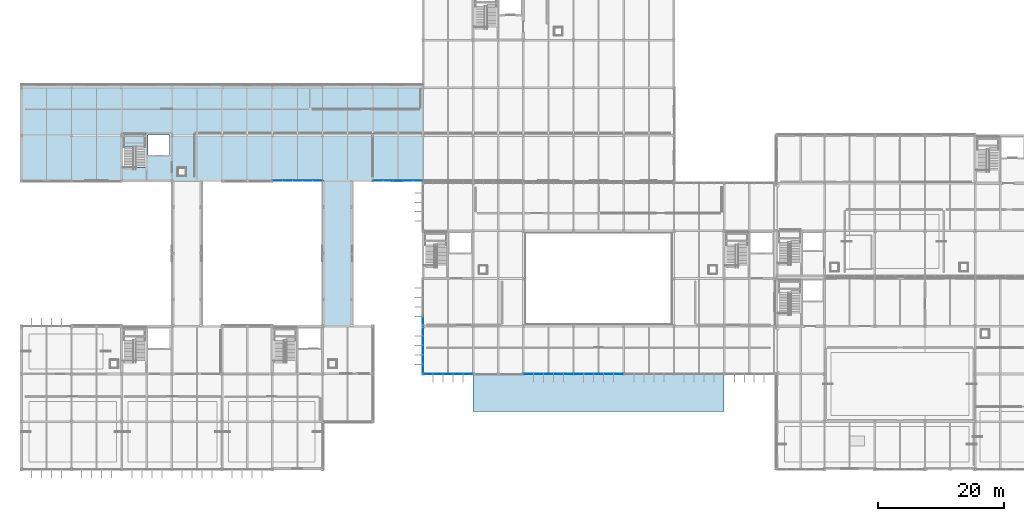
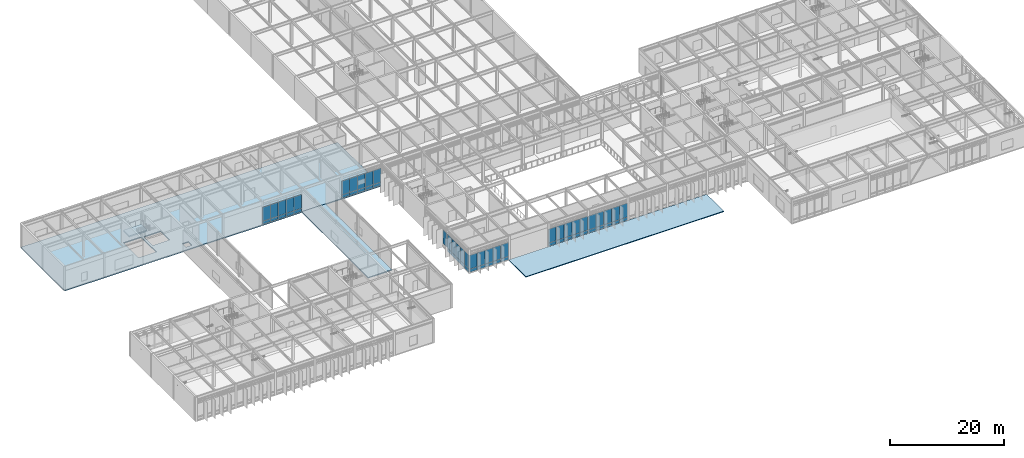
# One storey, part 62 of 94: 61 plates, 4 slabs, 8 elements without a shape of their own.
"""IFC4 building model written with IfcOpenShell, lengths in metres."""

from ifc_helpers import new_model, si_unit, direction, frame, origin, origin_2d, place, context, subcontext, project, spatial, polyline, rectangle, outline, extrude, material, layer, layer_set, type_object, element, aggregate, save


model = new_model("IFC4")

# Units and contexts
model_context = context("Model", 3, precision=1e-05, world=origin(), true_north=direction((0.0, 1.0)))
body_context = subcontext(model_context, "Body", "Model", "MODEL_VIEW")
ifc_project = project(units=[si_unit("LENGTHUNIT", "METRE"), si_unit("AREAUNIT", "SQUARE_METRE"), si_unit("VOLUMEUNIT", "CUBIC_METRE"), si_unit("PLANEANGLEUNIT", "RADIAN"), si_unit("MASSUNIT", "GRAM", prefix="KILO")], contexts=[model_context])

# Site, building, storey
site_placement = place(None, origin())
site = spatial("IfcSite", under=ifc_project, at=site_placement, CompositionType="ELEMENT")
building_placement = place(site_placement, origin())
building = spatial("IfcBuilding", under=site, at=building_placement, Name="Zulena Civic Courthouse", CompositionType="ELEMENT")
storey_placement = place(building_placement, frame((0.0, 0.0, 5.39990234375)))
storey = spatial("IfcBuildingStorey", under=building, at=storey_placement, Name="L01", CompositionType="ELEMENT", Elevation=5.39990234375)

# Slab
ifc_material_1 = material(Name="Concrete C35/45", Category="concrete")
ifc_layer_1 = layer(ifc_material_1, 0.195068359375)
ifc_layer_set_1 = layer_set([ifc_layer_1], Name="Concrete C35/45")
slab_type_1 = type_object("IfcSlabType", Name="BridgeSlab_195", PredefinedType="FLOOR", material=ifc_layer_set_1)
slab_1_placement = place(storey_placement, frame((0.0, 0.0, -0.19482421875)))
element("IfcSlab", 1, at=slab_1_placement, inside=storey, type_object=slab_type_1, Name="slab:bridge:BR-52C:L01", PredefinedType="FLOOR", context=body_context, shape_type="SweptSolid", body=[
    extrude(outline(polyline([(52.0, 22.800048828125), (56.800048828125, 22.800048828125), (56.800048828125, 46.0), (52.0, 46.0), (52.0, 22.800048828125)])), origin(), (0.0, 0.0, 1.0), 0.19482421875),
])

# Curtain wall, plates
ifc_material_2 = material(Name="Double-silver low-E laminated solar-control glass", Category="glass")
curtain_wall_type_1 = type_object("IfcCurtainWallType", Name="CW_7552x4280", PredefinedType="USERDEFINED", material=ifc_material_2)
curtain_wall_1_placement = place(storey_placement, origin())
curtain_wall_1 = element("IfcCurtainWall", 2, at=curtain_wall_1_placement, inside=storey, type_object=curtain_wall_type_1, Name="cw:V4:L01:0:0", ObjectType="UNITISED CURTAIN WALL", PredefinedType="USERDEFINED")
ifc_material_3 = material(Name="Ceramic-fritted insulated spandrel glass", Category="glass")
ifc_layer_2 = layer(ifc_material_3, 0.0458984375)
ifc_layer_set_2 = layer_set([ifc_layer_2], Name="Ceramic-fritted insulated spandrel glass")
plate_type_1 = type_object("IfcPlateType", Name="CWPanel_Spandrel_46", PredefinedType="CURTAIN_PANEL", material=ifc_layer_set_2)
plate_1_placement = place(storey_placement, frame((68.0, 15.979248046875, 0.070068359375), z_axis=(0.0, 0.0, 1.0), x_axis=(0.0, 1.0, 0.0)))
plate_1 = element("IfcPlate", 3, at=plate_1_placement, type_object=plate_type_1, Name="cw:V4:L01:0:0:panS:0", PredefinedType="CURTAIN_PANEL", context=body_context, shape_type="SweptSolid", body=[
    extrude(rectangle(XDim=1.4599609375, YDim=0.0458984375, at=origin_2d()), origin(), (0.0, 0.0, 1.0), 0.669921875),
])
plate_2_placement = place(storey_placement, frame((68.0, 17.489501953125, 0.070068359375), z_axis=(0.0, 0.0, 1.0), x_axis=(0.0, 1.0, 0.0)))
plate_2 = element("IfcPlate", 4, at=plate_2_placement, type_object=plate_type_1, Name="cw:V4:L01:0:0:panS:1", PredefinedType="CURTAIN_PANEL", context=body_context, shape_type="SweptSolid", body=[
    extrude(rectangle(XDim=1.4599609375, YDim=0.0458984375, at=origin_2d()), origin(), (0.0, 0.0, 1.0), 0.669921875),
])
plate_3_placement = place(storey_placement, frame((68.0, 19.0, 0.070068359375), z_axis=(0.0, 0.0, 1.0), x_axis=(0.0, 1.0, 0.0)))
plate_3 = element("IfcPlate", 5, at=plate_3_placement, type_object=plate_type_1, Name="cw:V4:L01:0:0:panS:2", PredefinedType="CURTAIN_PANEL", context=body_context, shape_type="SweptSolid", body=[
    extrude(rectangle(XDim=1.4599609375, YDim=0.0458984375, at=origin_2d()), origin(), (0.0, 0.0, 1.0), 0.669921875),
])
plate_4_placement = place(storey_placement, frame((68.0, 20.510498046875, 0.070068359375), z_axis=(0.0, 0.0, 1.0), x_axis=(0.0, 1.0, 0.0)))
plate_4 = element("IfcPlate", 6, at=plate_4_placement, type_object=plate_type_1, Name="cw:V4:L01:0:0:panS:3", PredefinedType="CURTAIN_PANEL", context=body_context, shape_type="SweptSolid", body=[
    extrude(rectangle(XDim=1.4599609375, YDim=0.0458984375, at=origin_2d()), origin(), (0.0, 0.0, 1.0), 0.669921875),
])
plate_5_placement = place(storey_placement, frame((68.0, 22.020751953125, 0.070068359375), z_axis=(0.0, 0.0, 1.0), x_axis=(0.0, 1.0, 0.0)))
plate_5 = element("IfcPlate", 7, at=plate_5_placement, type_object=plate_type_1, Name="cw:V4:L01:0:0:panS:4", PredefinedType="CURTAIN_PANEL", context=body_context, shape_type="SweptSolid", body=[
    extrude(rectangle(XDim=1.4599609375, YDim=0.0458984375, at=origin_2d()), origin(), (0.0, 0.0, 1.0), 0.669921875),
])

curtain_wall_type_2 = type_object("IfcCurtainWallType", Name="CW_7952x4280", PredefinedType="USERDEFINED", material=ifc_material_2)
curtain_wall_2_placement = place(storey_placement, origin())
curtain_wall_2 = element("IfcCurtainWall", 8, at=curtain_wall_2_placement, inside=storey, type_object=curtain_wall_type_2, Name="cw:V4:L01:3:3", ObjectType="UNITISED CURTAIN WALL", PredefinedType="USERDEFINED")
plate_6_placement = place(storey_placement, frame((99.180908203125, 15.199951171875, 0.070068359375), z_axis=(0.0, 0.0, 1.0), x_axis=(-1.0, 0.0, 0.0)))
plate_6 = element("IfcPlate", 9, at=plate_6_placement, type_object=plate_type_1, Name="cw:V4:L01:3:3:panS:0", PredefinedType="CURTAIN_PANEL", context=body_context, shape_type="SweptSolid", body=[
    extrude(rectangle(XDim=1.5400390625, YDim=0.0458984375, at=origin_2d()), origin(), (0.0, 0.0, 1.0), 0.669921875),
])
plate_7_placement = place(storey_placement, frame((97.59033203125, 15.199951171875, 0.070068359375), z_axis=(0.0, 0.0, 1.0), x_axis=(-1.0, 0.0, 0.0)))
plate_7 = element("IfcPlate", 10, at=plate_7_placement, type_object=plate_type_1, Name="cw:V4:L01:3:3:panS:1", PredefinedType="CURTAIN_PANEL", context=body_context, shape_type="SweptSolid", body=[
    extrude(rectangle(XDim=1.5400390625, YDim=0.0458984375, at=origin_2d()), origin(), (0.0, 0.0, 1.0), 0.669921875),
])
plate_8_placement = place(storey_placement, frame((96.0, 15.199951171875, 0.070068359375), z_axis=(0.0, 0.0, 1.0), x_axis=(-1.0, 0.0, 0.0)))
plate_8 = element("IfcPlate", 11, at=plate_8_placement, type_object=plate_type_1, Name="cw:V4:L01:3:3:panS:2", PredefinedType="CURTAIN_PANEL", context=body_context, shape_type="SweptSolid", body=[
    extrude(rectangle(XDim=1.5400390625, YDim=0.0458984375, at=origin_2d()), origin(), (0.0, 0.0, 1.0), 0.669921875),
])
plate_9_placement = place(storey_placement, frame((94.40966796875, 15.199951171875, 0.070068359375), z_axis=(0.0, 0.0, 1.0), x_axis=(-1.0, 0.0, 0.0)))
plate_9 = element("IfcPlate", 12, at=plate_9_placement, type_object=plate_type_1, Name="cw:V4:L01:3:3:panS:3", PredefinedType="CURTAIN_PANEL", context=body_context, shape_type="SweptSolid", body=[
    extrude(rectangle(XDim=1.5400390625, YDim=0.0458984375, at=origin_2d()), origin(), (0.0, 0.0, 1.0), 0.669921875),
])
plate_10_placement = place(storey_placement, frame((92.819091796875, 15.199951171875, 0.070068359375), z_axis=(0.0, 0.0, 1.0), x_axis=(-1.0, 0.0, 0.0)))
plate_10 = element("IfcPlate", 13, at=plate_10_placement, type_object=plate_type_1, Name="cw:V4:L01:3:3:panS:4", PredefinedType="CURTAIN_PANEL", context=body_context, shape_type="SweptSolid", body=[
    extrude(rectangle(XDim=1.5400390625, YDim=0.0458984375, at=origin_2d()), origin(), (0.0, 0.0, 1.0), 0.669921875),
])

curtain_wall_3_placement = place(storey_placement, origin())
curtain_wall_3 = element("IfcCurtainWall", 14, at=curtain_wall_3_placement, inside=storey, type_object=curtain_wall_type_2, Name="cw:V4:L01:3:4", ObjectType="UNITISED CURTAIN WALL", PredefinedType="USERDEFINED")
plate_11_placement = place(storey_placement, frame((91.180908203125, 15.199951171875, 0.070068359375), z_axis=(0.0, 0.0, 1.0), x_axis=(-1.0, 0.0, 0.0)))
plate_11 = element("IfcPlate", 15, at=plate_11_placement, type_object=plate_type_1, Name="cw:V4:L01:3:4:panS:0", PredefinedType="CURTAIN_PANEL", context=body_context, shape_type="SweptSolid", body=[
    extrude(rectangle(XDim=1.5400390625, YDim=0.0458984375, at=origin_2d()), origin(), (0.0, 0.0, 1.0), 0.669921875),
])
plate_12_placement = place(storey_placement, frame((89.59033203125, 15.199951171875, 0.070068359375), z_axis=(0.0, 0.0, 1.0), x_axis=(-1.0, 0.0, 0.0)))
plate_12 = element("IfcPlate", 16, at=plate_12_placement, type_object=plate_type_1, Name="cw:V4:L01:3:4:panS:1", PredefinedType="CURTAIN_PANEL", context=body_context, shape_type="SweptSolid", body=[
    extrude(rectangle(XDim=1.5400390625, YDim=0.0458984375, at=origin_2d()), origin(), (0.0, 0.0, 1.0), 0.669921875),
])
plate_13_placement = place(storey_placement, frame((88.0, 15.199951171875, 0.070068359375), z_axis=(0.0, 0.0, 1.0), x_axis=(-1.0, 0.0, 0.0)))
plate_13 = element("IfcPlate", 17, at=plate_13_placement, type_object=plate_type_1, Name="cw:V4:L01:3:4:panS:2", PredefinedType="CURTAIN_PANEL", context=body_context, shape_type="SweptSolid", body=[
    extrude(rectangle(XDim=1.5400390625, YDim=0.0458984375, at=origin_2d()), origin(), (0.0, 0.0, 1.0), 0.669921875),
])
plate_14_placement = place(storey_placement, frame((86.40966796875, 15.199951171875, 0.070068359375), z_axis=(0.0, 0.0, 1.0), x_axis=(-1.0, 0.0, 0.0)))
plate_14 = element("IfcPlate", 18, at=plate_14_placement, type_object=plate_type_1, Name="cw:V4:L01:3:4:panS:3", PredefinedType="CURTAIN_PANEL", context=body_context, shape_type="SweptSolid", body=[
    extrude(rectangle(XDim=1.5400390625, YDim=0.0458984375, at=origin_2d()), origin(), (0.0, 0.0, 1.0), 0.669921875),
])
plate_15_placement = place(storey_placement, frame((84.819091796875, 15.199951171875, 0.070068359375), z_axis=(0.0, 0.0, 1.0), x_axis=(-1.0, 0.0, 0.0)))
plate_15 = element("IfcPlate", 19, at=plate_15_placement, type_object=plate_type_1, Name="cw:V4:L01:3:4:panS:4", PredefinedType="CURTAIN_PANEL", context=body_context, shape_type="SweptSolid", body=[
    extrude(rectangle(XDim=1.5400390625, YDim=0.0458984375, at=origin_2d()), origin(), (0.0, 0.0, 1.0), 0.669921875),
])

curtain_wall_4_placement = place(storey_placement, origin())
curtain_wall_4 = element("IfcCurtainWall", 20, at=curtain_wall_4_placement, inside=storey, type_object=curtain_wall_type_2, Name="cw:V4:L01:3:6", ObjectType="UNITISED CURTAIN WALL", PredefinedType="USERDEFINED")
plate_16_placement = place(storey_placement, frame((75.180908203125, 15.199951171875, 0.070068359375), z_axis=(0.0, 0.0, 1.0), x_axis=(-1.0, 0.0, 0.0)))
plate_16 = element("IfcPlate", 21, at=plate_16_placement, type_object=plate_type_1, Name="cw:V4:L01:3:6:panS:0", PredefinedType="CURTAIN_PANEL", context=body_context, shape_type="SweptSolid", body=[
    extrude(rectangle(XDim=1.5400390625, YDim=0.0458984375, at=origin_2d()), origin(), (0.0, 0.0, 1.0), 0.669921875),
])
plate_17_placement = place(storey_placement, frame((73.59033203125, 15.199951171875, 0.070068359375), z_axis=(0.0, 0.0, 1.0), x_axis=(-1.0, 0.0, 0.0)))
plate_17 = element("IfcPlate", 22, at=plate_17_placement, type_object=plate_type_1, Name="cw:V4:L01:3:6:panS:1", PredefinedType="CURTAIN_PANEL", context=body_context, shape_type="SweptSolid", body=[
    extrude(rectangle(XDim=1.5400390625, YDim=0.0458984375, at=origin_2d()), origin(), (0.0, 0.0, 1.0), 0.669921875),
])
plate_18_placement = place(storey_placement, frame((72.0, 15.199951171875, 0.070068359375), z_axis=(0.0, 0.0, 1.0), x_axis=(-1.0, 0.0, 0.0)))
plate_18 = element("IfcPlate", 23, at=plate_18_placement, type_object=plate_type_1, Name="cw:V4:L01:3:6:panS:2", PredefinedType="CURTAIN_PANEL", context=body_context, shape_type="SweptSolid", body=[
    extrude(rectangle(XDim=1.5400390625, YDim=0.0458984375, at=origin_2d()), origin(), (0.0, 0.0, 1.0), 0.669921875),
])
plate_19_placement = place(storey_placement, frame((70.40966796875, 15.199951171875, 0.070068359375), z_axis=(0.0, 0.0, 1.0), x_axis=(-1.0, 0.0, 0.0)))
plate_19 = element("IfcPlate", 24, at=plate_19_placement, type_object=plate_type_1, Name="cw:V4:L01:3:6:panS:3", PredefinedType="CURTAIN_PANEL", context=body_context, shape_type="SweptSolid", body=[
    extrude(rectangle(XDim=1.5400390625, YDim=0.0458984375, at=origin_2d()), origin(), (0.0, 0.0, 1.0), 0.669921875),
])
plate_20_placement = place(storey_placement, frame((68.819091796875, 15.199951171875, 0.070068359375), z_axis=(0.0, 0.0, 1.0), x_axis=(-1.0, 0.0, 0.0)))
plate_20 = element("IfcPlate", 25, at=plate_20_placement, type_object=plate_type_1, Name="cw:V4:L01:3:6:panS:4", PredefinedType="CURTAIN_PANEL", context=body_context, shape_type="SweptSolid", body=[
    extrude(rectangle(XDim=1.5400390625, YDim=0.0458984375, at=origin_2d()), origin(), (0.0, 0.0, 1.0), 0.669921875),
])

curtain_wall_5_placement = place(storey_placement, origin())
curtain_wall_5 = element("IfcCurtainWall", 26, at=curtain_wall_5_placement, inside=storey, type_object=curtain_wall_type_2, Name="cw:V5:L01:5:5", ObjectType="UNITISED CURTAIN WALL", PredefinedType="USERDEFINED")
plate_21_placement = place(storey_placement, frame((67.180908203125, 46.0, 0.070068359375), z_axis=(0.0, 0.0, 1.0), x_axis=(-1.0, 0.0, 0.0)))
plate_21 = element("IfcPlate", 27, at=plate_21_placement, type_object=plate_type_1, Name="cw:V5:L01:5:5:panS:0", PredefinedType="CURTAIN_PANEL", context=body_context, shape_type="SweptSolid", body=[
    extrude(rectangle(XDim=1.5400390625, YDim=0.0458984375, at=origin_2d()), origin(), (0.0, 0.0, 1.0), 0.669921875),
])
plate_22_placement = place(storey_placement, frame((65.59033203125, 46.0, 0.070068359375), z_axis=(0.0, 0.0, 1.0), x_axis=(-1.0, 0.0, 0.0)))
plate_22 = element("IfcPlate", 28, at=plate_22_placement, type_object=plate_type_1, Name="cw:V5:L01:5:5:panS:1", PredefinedType="CURTAIN_PANEL", context=body_context, shape_type="SweptSolid", body=[
    extrude(rectangle(XDim=1.5400390625, YDim=0.0458984375, at=origin_2d()), origin(), (0.0, 0.0, 1.0), 0.669921875),
])
plate_23_placement = place(storey_placement, frame((64.0, 46.0, 0.070068359375), z_axis=(0.0, 0.0, 1.0), x_axis=(-1.0, 0.0, 0.0)))
plate_23 = element("IfcPlate", 29, at=plate_23_placement, type_object=plate_type_1, Name="cw:V5:L01:5:5:panS:2", PredefinedType="CURTAIN_PANEL", context=body_context, shape_type="SweptSolid", body=[
    extrude(rectangle(XDim=1.5400390625, YDim=0.0458984375, at=origin_2d()), origin(), (0.0, 0.0, 1.0), 0.669921875),
])
plate_24_placement = place(storey_placement, frame((62.40966796875, 46.0, 0.070068359375), z_axis=(0.0, 0.0, 1.0), x_axis=(-1.0, 0.0, 0.0)))
plate_24 = element("IfcPlate", 30, at=plate_24_placement, type_object=plate_type_1, Name="cw:V5:L01:5:5:panS:3", PredefinedType="CURTAIN_PANEL", context=body_context, shape_type="SweptSolid", body=[
    extrude(rectangle(XDim=1.5400390625, YDim=0.0458984375, at=origin_2d()), origin(), (0.0, 0.0, 1.0), 0.669921875),
])
plate_25_placement = place(storey_placement, frame((60.819091796875, 46.0, 0.070068359375), z_axis=(0.0, 0.0, 1.0), x_axis=(-1.0, 0.0, 0.0)))
plate_25 = element("IfcPlate", 31, at=plate_25_placement, type_object=plate_type_1, Name="cw:V5:L01:5:5:panS:4", PredefinedType="CURTAIN_PANEL", context=body_context, shape_type="SweptSolid", body=[
    extrude(rectangle(XDim=1.5400390625, YDim=0.0458984375, at=origin_2d()), origin(), (0.0, 0.0, 1.0), 0.669921875),
])

curtain_wall_6_placement = place(storey_placement, origin())
curtain_wall_6 = element("IfcCurtainWall", 32, at=curtain_wall_6_placement, inside=storey, type_object=curtain_wall_type_2, Name="cw:V5:L01:5:7", ObjectType="UNITISED CURTAIN WALL", PredefinedType="USERDEFINED")
plate_26_placement = place(storey_placement, frame((51.180908203125, 46.0, 0.070068359375), z_axis=(0.0, 0.0, 1.0), x_axis=(-1.0, 0.0, 0.0)))
plate_26 = element("IfcPlate", 33, at=plate_26_placement, type_object=plate_type_1, Name="cw:V5:L01:5:7:panS:0", PredefinedType="CURTAIN_PANEL", context=body_context, shape_type="SweptSolid", body=[
    extrude(rectangle(XDim=1.5400390625, YDim=0.0458984375, at=origin_2d()), origin(), (0.0, 0.0, 1.0), 0.669921875),
])
plate_27_placement = place(storey_placement, frame((49.59033203125, 46.0, 0.070068359375), z_axis=(0.0, 0.0, 1.0), x_axis=(-1.0, 0.0, 0.0)))
plate_27 = element("IfcPlate", 34, at=plate_27_placement, type_object=plate_type_1, Name="cw:V5:L01:5:7:panS:1", PredefinedType="CURTAIN_PANEL", context=body_context, shape_type="SweptSolid", body=[
    extrude(rectangle(XDim=1.5400390625, YDim=0.0458984375, at=origin_2d()), origin(), (0.0, 0.0, 1.0), 0.669921875),
])
plate_28_placement = place(storey_placement, frame((48.0, 46.0, 0.070068359375), z_axis=(0.0, 0.0, 1.0), x_axis=(-1.0, 0.0, 0.0)))
plate_28 = element("IfcPlate", 35, at=plate_28_placement, type_object=plate_type_1, Name="cw:V5:L01:5:7:panS:2", PredefinedType="CURTAIN_PANEL", context=body_context, shape_type="SweptSolid", body=[
    extrude(rectangle(XDim=1.5400390625, YDim=0.0458984375, at=origin_2d()), origin(), (0.0, 0.0, 1.0), 0.669921875),
])
plate_29_placement = place(storey_placement, frame((46.40966796875, 46.0, 0.070068359375), z_axis=(0.0, 0.0, 1.0), x_axis=(-1.0, 0.0, 0.0)))
plate_29 = element("IfcPlate", 36, at=plate_29_placement, type_object=plate_type_1, Name="cw:V5:L01:5:7:panS:3", PredefinedType="CURTAIN_PANEL", context=body_context, shape_type="SweptSolid", body=[
    extrude(rectangle(XDim=1.5400390625, YDim=0.0458984375, at=origin_2d()), origin(), (0.0, 0.0, 1.0), 0.669921875),
])
plate_30_placement = place(storey_placement, frame((44.819091796875, 46.0, 0.070068359375), z_axis=(0.0, 0.0, 1.0), x_axis=(-1.0, 0.0, 0.0)))
plate_30 = element("IfcPlate", 37, at=plate_30_placement, type_object=plate_type_1, Name="cw:V5:L01:5:7:panS:4", PredefinedType="CURTAIN_PANEL", context=body_context, shape_type="SweptSolid", body=[
    extrude(rectangle(XDim=1.5400390625, YDim=0.0458984375, at=origin_2d()), origin(), (0.0, 0.0, 1.0), 0.669921875),
])

# Plate
ifc_layer_3 = layer(ifc_material_2, 0.035888671875)
ifc_layer_set_3 = layer_set([ifc_layer_3], Name="Double-silver low-E laminated solar-control glass")
plate_type_2 = type_object("IfcPlateType", Name="CWPanel_Vision_36", PredefinedType="CURTAIN_PANEL", material=ifc_layer_set_3)
plate_31_placement = place(storey_placement, frame((68.0, 15.979248046875, 0.760009765625), z_axis=(0.0, 0.0, 1.0), x_axis=(0.0, 1.0, 0.0)))
plate_31 = element("IfcPlate", 38, at=plate_31_placement, type_object=plate_type_2, Name="cw:V4:L01:0:0:panV:0", PredefinedType="CURTAIN_PANEL", context=body_context, shape_type="SweptSolid", body=[
    extrude(rectangle(XDim=1.4599609375, YDim=0.035888671875, at=origin_2d()), origin(), (0.0, 0.0, 1.0), 2.9599609375),
])

plate_32_placement = place(storey_placement, frame((68.0, 17.489501953125, 0.760009765625), z_axis=(0.0, 0.0, 1.0), x_axis=(0.0, 1.0, 0.0)))
plate_32 = element("IfcPlate", 39, at=plate_32_placement, type_object=plate_type_2, Name="cw:V4:L01:0:0:panV:1", PredefinedType="CURTAIN_PANEL", context=body_context, shape_type="SweptSolid", body=[
    extrude(rectangle(XDim=1.4599609375, YDim=0.035888671875, at=origin_2d()), origin(), (0.0, 0.0, 1.0), 2.9599609375),
])

plate_33_placement = place(storey_placement, frame((68.0, 19.0, 0.760009765625), z_axis=(0.0, 0.0, 1.0), x_axis=(0.0, 1.0, 0.0)))
plate_33 = element("IfcPlate", 40, at=plate_33_placement, type_object=plate_type_2, Name="cw:V4:L01:0:0:panV:2", PredefinedType="CURTAIN_PANEL", context=body_context, shape_type="SweptSolid", body=[
    extrude(rectangle(XDim=1.4599609375, YDim=0.035888671875, at=origin_2d()), origin(), (0.0, 0.0, 1.0), 2.9599609375),
])

plate_34_placement = place(storey_placement, frame((68.0, 20.510498046875, 0.760009765625), z_axis=(0.0, 0.0, 1.0), x_axis=(0.0, 1.0, 0.0)))
plate_34 = element("IfcPlate", 41, at=plate_34_placement, type_object=plate_type_2, Name="cw:V4:L01:0:0:panV:3", PredefinedType="CURTAIN_PANEL", context=body_context, shape_type="SweptSolid", body=[
    extrude(rectangle(XDim=1.4599609375, YDim=0.035888671875, at=origin_2d()), origin(), (0.0, 0.0, 1.0), 2.9599609375),
])

plate_35_placement = place(storey_placement, frame((68.0, 22.020751953125, 0.760009765625), z_axis=(0.0, 0.0, 1.0), x_axis=(0.0, 1.0, 0.0)))
plate_35 = element("IfcPlate", 42, at=plate_35_placement, type_object=plate_type_2, Name="cw:V4:L01:0:0:panV:4", PredefinedType="CURTAIN_PANEL", context=body_context, shape_type="SweptSolid", body=[
    extrude(rectangle(XDim=1.4599609375, YDim=0.035888671875, at=origin_2d()), origin(), (0.0, 0.0, 1.0), 2.9599609375),
])

aggregate(curtain_wall_1, [plate_31, plate_1, plate_32, plate_2, plate_33, plate_3, plate_34, plate_4, plate_35, plate_5])

# Curtain wall, plate
curtain_wall_7_placement = place(storey_placement, origin())
curtain_wall_7 = element("IfcCurtainWall", 43, at=curtain_wall_7_placement, inside=storey, type_object=curtain_wall_type_1, Name="cw:V4:L01:0:1", ObjectType="UNITISED CURTAIN WALL", PredefinedType="USERDEFINED")
plate_36_placement = place(storey_placement, frame((68.0, 23.5791015625, 0.760009765625), z_axis=(0.0, 0.0, 1.0), x_axis=(0.0, 1.0, 0.0)))
plate_36 = element("IfcPlate", 44, at=plate_36_placement, type_object=plate_type_2, Name="cw:V4:L01:0:1:panV:0", PredefinedType="CURTAIN_PANEL", context=body_context, shape_type="SweptSolid", body=[
    extrude(rectangle(XDim=1.4599609375, YDim=0.035888671875, at=origin_2d()), origin(), (0.0, 0.0, 1.0), 2.9599609375),
])
aggregate(curtain_wall_7, [plate_36])

# Plate
plate_37_placement = place(storey_placement, frame((99.180908203125, 15.199951171875, 0.760009765625), z_axis=(0.0, 0.0, 1.0), x_axis=(-1.0, 0.0, 0.0)))
plate_37 = element("IfcPlate", 45, at=plate_37_placement, type_object=plate_type_2, Name="cw:V4:L01:3:3:panV:0", PredefinedType="CURTAIN_PANEL", context=body_context, shape_type="SweptSolid", body=[
    extrude(rectangle(XDim=1.5400390625, YDim=0.035888671875, at=origin_2d()), origin(), (0.0, 0.0, 1.0), 2.9599609375),
])

plate_38_placement = place(storey_placement, frame((97.59033203125, 15.199951171875, 0.760009765625), z_axis=(0.0, 0.0, 1.0), x_axis=(-1.0, 0.0, 0.0)))
plate_38 = element("IfcPlate", 46, at=plate_38_placement, type_object=plate_type_2, Name="cw:V4:L01:3:3:panV:1", PredefinedType="CURTAIN_PANEL", context=body_context, shape_type="SweptSolid", body=[
    extrude(rectangle(XDim=1.5400390625, YDim=0.035888671875, at=origin_2d()), origin(), (0.0, 0.0, 1.0), 2.9599609375),
])

plate_39_placement = place(storey_placement, frame((96.0, 15.199951171875, 0.760009765625), z_axis=(0.0, 0.0, 1.0), x_axis=(-1.0, 0.0, 0.0)))
plate_39 = element("IfcPlate", 47, at=plate_39_placement, type_object=plate_type_2, Name="cw:V4:L01:3:3:panV:2", PredefinedType="CURTAIN_PANEL", context=body_context, shape_type="SweptSolid", body=[
    extrude(rectangle(XDim=1.5400390625, YDim=0.035888671875, at=origin_2d()), origin(), (0.0, 0.0, 1.0), 2.9599609375),
])

plate_40_placement = place(storey_placement, frame((94.40966796875, 15.199951171875, 0.760009765625), z_axis=(0.0, 0.0, 1.0), x_axis=(-1.0, 0.0, 0.0)))
plate_40 = element("IfcPlate", 48, at=plate_40_placement, type_object=plate_type_2, Name="cw:V4:L01:3:3:panV:3", PredefinedType="CURTAIN_PANEL", context=body_context, shape_type="SweptSolid", body=[
    extrude(rectangle(XDim=1.5400390625, YDim=0.035888671875, at=origin_2d()), origin(), (0.0, 0.0, 1.0), 2.9599609375),
])

plate_41_placement = place(storey_placement, frame((92.819091796875, 15.199951171875, 0.760009765625), z_axis=(0.0, 0.0, 1.0), x_axis=(-1.0, 0.0, 0.0)))
plate_41 = element("IfcPlate", 49, at=plate_41_placement, type_object=plate_type_2, Name="cw:V4:L01:3:3:panV:4", PredefinedType="CURTAIN_PANEL", context=body_context, shape_type="SweptSolid", body=[
    extrude(rectangle(XDim=1.5400390625, YDim=0.035888671875, at=origin_2d()), origin(), (0.0, 0.0, 1.0), 2.9599609375),
])

aggregate(curtain_wall_2, [plate_37, plate_6, plate_38, plate_7, plate_39, plate_8, plate_40, plate_9, plate_41, plate_10])

plate_42_placement = place(storey_placement, frame((91.180908203125, 15.199951171875, 0.760009765625), z_axis=(0.0, 0.0, 1.0), x_axis=(-1.0, 0.0, 0.0)))
plate_42 = element("IfcPlate", 50, at=plate_42_placement, type_object=plate_type_2, Name="cw:V4:L01:3:4:panV:0", PredefinedType="CURTAIN_PANEL", context=body_context, shape_type="SweptSolid", body=[
    extrude(rectangle(XDim=1.5400390625, YDim=0.035888671875, at=origin_2d()), origin(), (0.0, 0.0, 1.0), 2.9599609375),
])

plate_43_placement = place(storey_placement, frame((89.59033203125, 15.199951171875, 0.760009765625), z_axis=(0.0, 0.0, 1.0), x_axis=(-1.0, 0.0, 0.0)))
plate_43 = element("IfcPlate", 51, at=plate_43_placement, type_object=plate_type_2, Name="cw:V4:L01:3:4:panV:1", PredefinedType="CURTAIN_PANEL", context=body_context, shape_type="SweptSolid", body=[
    extrude(rectangle(XDim=1.5400390625, YDim=0.035888671875, at=origin_2d()), origin(), (0.0, 0.0, 1.0), 2.9599609375),
])

plate_44_placement = place(storey_placement, frame((88.0, 15.199951171875, 0.760009765625), z_axis=(0.0, 0.0, 1.0), x_axis=(-1.0, 0.0, 0.0)))
plate_44 = element("IfcPlate", 52, at=plate_44_placement, type_object=plate_type_2, Name="cw:V4:L01:3:4:panV:2", PredefinedType="CURTAIN_PANEL", context=body_context, shape_type="SweptSolid", body=[
    extrude(rectangle(XDim=1.5400390625, YDim=0.035888671875, at=origin_2d()), origin(), (0.0, 0.0, 1.0), 2.9599609375),
])

plate_45_placement = place(storey_placement, frame((86.40966796875, 15.199951171875, 0.760009765625), z_axis=(0.0, 0.0, 1.0), x_axis=(-1.0, 0.0, 0.0)))
plate_45 = element("IfcPlate", 53, at=plate_45_placement, type_object=plate_type_2, Name="cw:V4:L01:3:4:panV:3", PredefinedType="CURTAIN_PANEL", context=body_context, shape_type="SweptSolid", body=[
    extrude(rectangle(XDim=1.5400390625, YDim=0.035888671875, at=origin_2d()), origin(), (0.0, 0.0, 1.0), 2.9599609375),
])

plate_46_placement = place(storey_placement, frame((84.819091796875, 15.199951171875, 0.760009765625), z_axis=(0.0, 0.0, 1.0), x_axis=(-1.0, 0.0, 0.0)))
plate_46 = element("IfcPlate", 54, at=plate_46_placement, type_object=plate_type_2, Name="cw:V4:L01:3:4:panV:4", PredefinedType="CURTAIN_PANEL", context=body_context, shape_type="SweptSolid", body=[
    extrude(rectangle(XDim=1.5400390625, YDim=0.035888671875, at=origin_2d()), origin(), (0.0, 0.0, 1.0), 2.9599609375),
])

aggregate(curtain_wall_3, [plate_42, plate_11, plate_43, plate_12, plate_44, plate_13, plate_45, plate_14, plate_46, plate_15])

plate_47_placement = place(storey_placement, frame((75.180908203125, 15.199951171875, 0.760009765625), z_axis=(0.0, 0.0, 1.0), x_axis=(-1.0, 0.0, 0.0)))
plate_47 = element("IfcPlate", 55, at=plate_47_placement, type_object=plate_type_2, Name="cw:V4:L01:3:6:panV:0", PredefinedType="CURTAIN_PANEL", context=body_context, shape_type="SweptSolid", body=[
    extrude(rectangle(XDim=1.5400390625, YDim=0.035888671875, at=origin_2d()), origin(), (0.0, 0.0, 1.0), 2.9599609375),
])

plate_48_placement = place(storey_placement, frame((73.59033203125, 15.199951171875, 0.760009765625), z_axis=(0.0, 0.0, 1.0), x_axis=(-1.0, 0.0, 0.0)))
plate_48 = element("IfcPlate", 56, at=plate_48_placement, type_object=plate_type_2, Name="cw:V4:L01:3:6:panV:1", PredefinedType="CURTAIN_PANEL", context=body_context, shape_type="SweptSolid", body=[
    extrude(rectangle(XDim=1.5400390625, YDim=0.035888671875, at=origin_2d()), origin(), (0.0, 0.0, 1.0), 2.9599609375),
])

plate_49_placement = place(storey_placement, frame((72.0, 15.199951171875, 0.760009765625), z_axis=(0.0, 0.0, 1.0), x_axis=(-1.0, 0.0, 0.0)))
plate_49 = element("IfcPlate", 57, at=plate_49_placement, type_object=plate_type_2, Name="cw:V4:L01:3:6:panV:2", PredefinedType="CURTAIN_PANEL", context=body_context, shape_type="SweptSolid", body=[
    extrude(rectangle(XDim=1.5400390625, YDim=0.035888671875, at=origin_2d()), origin(), (0.0, 0.0, 1.0), 2.9599609375),
])

plate_50_placement = place(storey_placement, frame((70.40966796875, 15.199951171875, 0.760009765625), z_axis=(0.0, 0.0, 1.0), x_axis=(-1.0, 0.0, 0.0)))
plate_50 = element("IfcPlate", 58, at=plate_50_placement, type_object=plate_type_2, Name="cw:V4:L01:3:6:panV:3", PredefinedType="CURTAIN_PANEL", context=body_context, shape_type="SweptSolid", body=[
    extrude(rectangle(XDim=1.5400390625, YDim=0.035888671875, at=origin_2d()), origin(), (0.0, 0.0, 1.0), 2.9599609375),
])

plate_51_placement = place(storey_placement, frame((68.819091796875, 15.199951171875, 0.760009765625), z_axis=(0.0, 0.0, 1.0), x_axis=(-1.0, 0.0, 0.0)))
plate_51 = element("IfcPlate", 59, at=plate_51_placement, type_object=plate_type_2, Name="cw:V4:L01:3:6:panV:4", PredefinedType="CURTAIN_PANEL", context=body_context, shape_type="SweptSolid", body=[
    extrude(rectangle(XDim=1.5400390625, YDim=0.035888671875, at=origin_2d()), origin(), (0.0, 0.0, 1.0), 2.9599609375),
])

aggregate(curtain_wall_4, [plate_47, plate_16, plate_48, plate_17, plate_49, plate_18, plate_50, plate_19, plate_51, plate_20])

plate_52_placement = place(storey_placement, frame((67.180908203125, 46.0, 0.760009765625), z_axis=(0.0, 0.0, 1.0), x_axis=(-1.0, 0.0, 0.0)))
plate_52 = element("IfcPlate", 60, at=plate_52_placement, type_object=plate_type_2, Name="cw:V5:L01:5:5:panV:0", PredefinedType="CURTAIN_PANEL", context=body_context, shape_type="SweptSolid", body=[
    extrude(rectangle(XDim=1.5400390625, YDim=0.035888671875, at=origin_2d()), origin(), (0.0, 0.0, 1.0), 2.9599609375),
])

plate_53_placement = place(storey_placement, frame((65.59033203125, 46.0, 0.760009765625), z_axis=(0.0, 0.0, 1.0), x_axis=(-1.0, 0.0, 0.0)))
plate_53 = element("IfcPlate", 61, at=plate_53_placement, type_object=plate_type_2, Name="cw:V5:L01:5:5:panV:1", PredefinedType="CURTAIN_PANEL", context=body_context, shape_type="SweptSolid", body=[
    extrude(rectangle(XDim=1.5400390625, YDim=0.035888671875, at=origin_2d()), origin(), (0.0, 0.0, 1.0), 2.9599609375),
])

plate_54_placement = place(storey_placement, frame((64.0, 46.0, 0.760009765625), z_axis=(0.0, 0.0, 1.0), x_axis=(-1.0, 0.0, 0.0)))
plate_54 = element("IfcPlate", 62, at=plate_54_placement, type_object=plate_type_2, Name="cw:V5:L01:5:5:panV:2", PredefinedType="CURTAIN_PANEL", context=body_context, shape_type="SweptSolid", body=[
    extrude(rectangle(XDim=1.5400390625, YDim=0.035888671875, at=origin_2d()), origin(), (0.0, 0.0, 1.0), 2.9599609375),
])

plate_55_placement = place(storey_placement, frame((62.40966796875, 46.0, 0.760009765625), z_axis=(0.0, 0.0, 1.0), x_axis=(-1.0, 0.0, 0.0)))
plate_55 = element("IfcPlate", 63, at=plate_55_placement, type_object=plate_type_2, Name="cw:V5:L01:5:5:panV:3", PredefinedType="CURTAIN_PANEL", context=body_context, shape_type="SweptSolid", body=[
    extrude(rectangle(XDim=1.5400390625, YDim=0.035888671875, at=origin_2d()), origin(), (0.0, 0.0, 1.0), 2.9599609375),
])

plate_56_placement = place(storey_placement, frame((60.819091796875, 46.0, 0.760009765625), z_axis=(0.0, 0.0, 1.0), x_axis=(-1.0, 0.0, 0.0)))
plate_56 = element("IfcPlate", 64, at=plate_56_placement, type_object=plate_type_2, Name="cw:V5:L01:5:5:panV:4", PredefinedType="CURTAIN_PANEL", context=body_context, shape_type="SweptSolid", body=[
    extrude(rectangle(XDim=1.5400390625, YDim=0.035888671875, at=origin_2d()), origin(), (0.0, 0.0, 1.0), 2.9599609375),
])

aggregate(curtain_wall_5, [plate_52, plate_21, plate_53, plate_22, plate_54, plate_23, plate_55, plate_24, plate_56, plate_25])

plate_57_placement = place(storey_placement, frame((51.180908203125, 46.0, 0.760009765625), z_axis=(0.0, 0.0, 1.0), x_axis=(-1.0, 0.0, 0.0)))
plate_57 = element("IfcPlate", 65, at=plate_57_placement, type_object=plate_type_2, Name="cw:V5:L01:5:7:panV:0", PredefinedType="CURTAIN_PANEL", context=body_context, shape_type="SweptSolid", body=[
    extrude(rectangle(XDim=1.5400390625, YDim=0.035888671875, at=origin_2d()), origin(), (0.0, 0.0, 1.0), 2.9599609375),
])

plate_58_placement = place(storey_placement, frame((49.59033203125, 46.0, 0.760009765625), z_axis=(0.0, 0.0, 1.0), x_axis=(-1.0, 0.0, 0.0)))
plate_58 = element("IfcPlate", 66, at=plate_58_placement, type_object=plate_type_2, Name="cw:V5:L01:5:7:panV:1", PredefinedType="CURTAIN_PANEL", context=body_context, shape_type="SweptSolid", body=[
    extrude(rectangle(XDim=1.5400390625, YDim=0.035888671875, at=origin_2d()), origin(), (0.0, 0.0, 1.0), 2.9599609375),
])

plate_59_placement = place(storey_placement, frame((48.0, 46.0, 0.760009765625), z_axis=(0.0, 0.0, 1.0), x_axis=(-1.0, 0.0, 0.0)))
plate_59 = element("IfcPlate", 67, at=plate_59_placement, type_object=plate_type_2, Name="cw:V5:L01:5:7:panV:2", PredefinedType="CURTAIN_PANEL", context=body_context, shape_type="SweptSolid", body=[
    extrude(rectangle(XDim=1.5400390625, YDim=0.035888671875, at=origin_2d()), origin(), (0.0, 0.0, 1.0), 2.9599609375),
])

plate_60_placement = place(storey_placement, frame((46.40966796875, 46.0, 0.760009765625), z_axis=(0.0, 0.0, 1.0), x_axis=(-1.0, 0.0, 0.0)))
plate_60 = element("IfcPlate", 68, at=plate_60_placement, type_object=plate_type_2, Name="cw:V5:L01:5:7:panV:3", PredefinedType="CURTAIN_PANEL", context=body_context, shape_type="SweptSolid", body=[
    extrude(rectangle(XDim=1.5400390625, YDim=0.035888671875, at=origin_2d()), origin(), (0.0, 0.0, 1.0), 2.9599609375),
])

plate_61_placement = place(storey_placement, frame((44.819091796875, 46.0, 0.760009765625), z_axis=(0.0, 0.0, 1.0), x_axis=(-1.0, 0.0, 0.0)))
plate_61 = element("IfcPlate", 69, at=plate_61_placement, type_object=plate_type_2, Name="cw:V5:L01:5:7:panV:4", PredefinedType="CURTAIN_PANEL", context=body_context, shape_type="SweptSolid", body=[
    extrude(rectangle(XDim=1.5400390625, YDim=0.035888671875, at=origin_2d()), origin(), (0.0, 0.0, 1.0), 2.9599609375),
])

aggregate(curtain_wall_6, [plate_57, plate_26, plate_58, plate_27, plate_59, plate_28, plate_60, plate_29, plate_61, plate_30])

# Slabs
ifc_layer_4 = layer(ifc_material_1, 0.155029296875)
ifc_layer_set_4 = layer_set([ifc_layer_4], Name="Concrete C35/45")
slab_type_2 = type_object("IfcSlabType", Name="CanopyDeck_155", PredefinedType="ROOF", material=ifc_layer_set_4)
slab_2_placement = place(storey_placement, frame((0.0, 0.0, -0.15478515625)))
element("IfcSlab", 70, at=slab_2_placement, inside=storey, type_object=slab_type_2, Name="slab:canopy:V4", PredefinedType="ROOF", context=body_context, shape_type="SweptSolid", body=[
    extrude(outline(polyline([(76.0, 9.199951171875), (116.0, 9.199951171875), (116.0, 15.199951171875), (76.0, 15.199951171875), (76.0, 9.199951171875)])), origin(), (0.0, 0.0, 1.0), 0.15478515625),
])
ifc_layer_5 = layer(ifc_material_1, 0.215087890625)
ifc_layer_set_5 = layer_set([ifc_layer_5], Name="Concrete C35/45")
slab_type_3 = type_object("IfcSlabType", Name="FloorSlab_215", PredefinedType="FLOOR", material=ifc_layer_set_5)
slab_3_placement = place(storey_placement, frame((0.0, 0.0, -0.21484375)))
element("IfcSlab", 71, at=slab_3_placement, inside=storey, type_object=slab_type_3, Name="slab:V5:L01_1", PredefinedType="FLOOR", context=body_context, shape_type="SweptSolid", body=[
    extrude(outline(polyline([(4.0, 61.199951171875), (68.0, 61.199951171875), (68.0, 46.0), (4.0, 46.0), (4.0, 61.199951171875)]), holes=[polyline([(20.18994140625, 53.409912109375), (20.18994140625, 48.1201171875), (23.81005859375, 48.1201171875), (23.81005859375, 53.409912109375), (20.18994140625, 53.409912109375)]), polyline([(27.64990234375, 53.25), (24.199951171875, 53.25), (24.199951171875, 50.10009765625), (27.64990234375, 50.10009765625), (27.64990234375, 53.25)]), polyline([(29.0, 48.0), (29.0, 46.800048828125), (30.199951171875, 46.800048828125), (30.199951171875, 48.0), (29.0, 48.0)])]), origin(), (0.0, 0.0, 1.0), 0.21484375),
])

# Stair, slab
ifc_material_4 = material(Name="Precast concrete C40/50", Category="concrete")
stair_type = type_object("IfcStairType", Name="HalfTurnStair_5400", PredefinedType="HALF_TURN_STAIR", material=ifc_material_4)
stair_placement = place(storey_placement, origin())
stair = element("IfcStair", 72, at=stair_placement, inside=storey, type_object=stair_type, Name="stair:K5A:L01", PredefinedType="HALF_TURN_STAIR")
ifc_layer_6 = layer(ifc_material_4, 0.280029296875)
ifc_layer_set_6 = layer_set([ifc_layer_6], Name="Precast concrete C40/50")
slab_type_4 = type_object("IfcSlabType", Name="StairLandingSlab_280", PredefinedType="LANDING", material=ifc_layer_set_6)
slab_4_placement = place(storey_placement, frame((0.0, 0.0, 2.420166015625)))
slab_4 = element("IfcSlab", 73, at=slab_4_placement, type_object=slab_type_4, Name="stair:K5A:L01:LND", PredefinedType="LANDING", context=body_context, shape_type="SweptSolid", body=[
    extrude(outline(polyline([(20.179931640625, 51.349609375), (23.820068359375, 51.349609375), (23.820068359375, 53.419921875), (20.179931640625, 53.419921875), (20.179931640625, 51.349609375)])), origin(), (0.0, 0.0, 1.0), 0.280029296875),
])
aggregate(stair, [slab_4])

save(model, "model.ifc")
